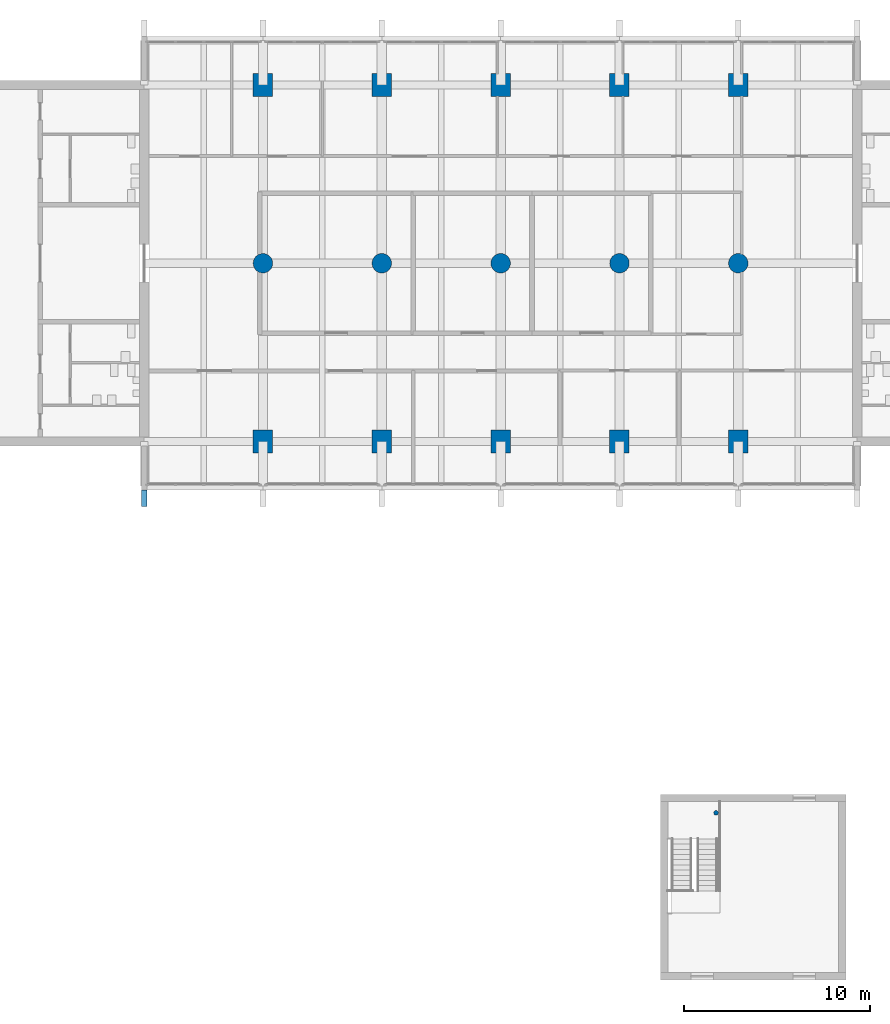
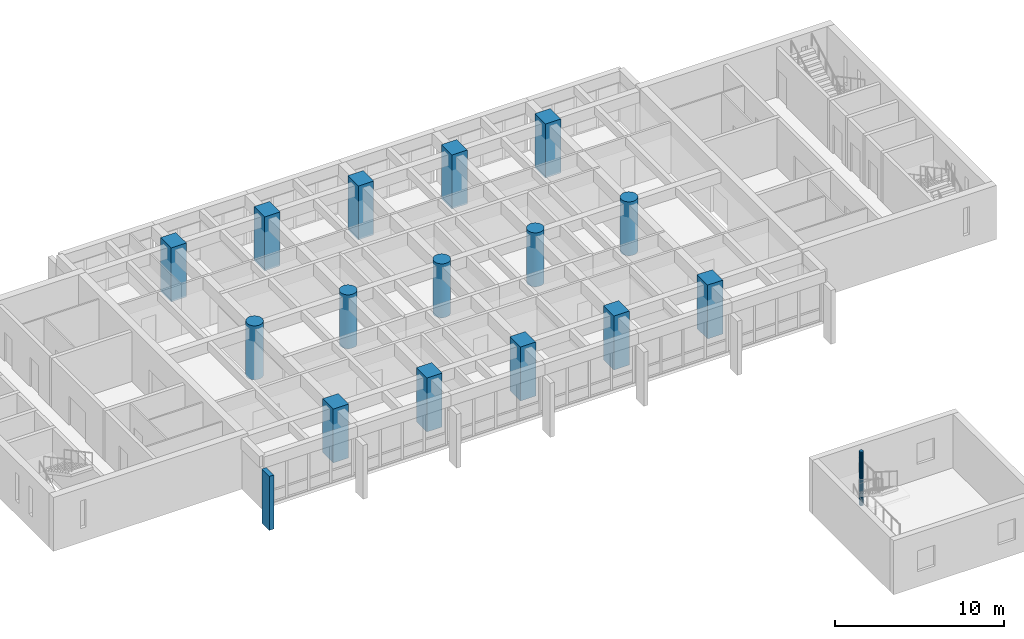
# One storey, part 1 of 19: 16 columns, 1 member.
"""IFC4 building model written with IfcOpenShell, lengths in metres."""

from ifc_helpers import new_model, si_unit, direction, frame, origin, origin_2d, place, context, subcontext, project, spatial, rectangle, circle, extrude, material, material_profile, profile_set, type_object, element, save


model = new_model("IFC4")

# Units and contexts
model_context = context("Model", 3, precision=1e-05, world=origin(), true_north=direction((0.0, 1.0)))
body_context = subcontext(model_context, "Body", "Model", "MODEL_VIEW")
ifc_project = project(units=[si_unit("LENGTHUNIT", "METRE"), si_unit("AREAUNIT", "SQUARE_METRE"), si_unit("VOLUMEUNIT", "CUBIC_METRE"), si_unit("PLANEANGLEUNIT", "RADIAN"), si_unit("MASSUNIT", "GRAM", prefix="KILO")], contexts=[model_context])

# Site, building, storey
site_placement = place(None, origin())
site = spatial("IfcSite", under=ifc_project, at=site_placement, CompositionType="ELEMENT")
building_placement = place(site_placement, origin())
building = spatial("IfcBuilding", under=site, at=building_placement, Name="Fogon Plaza Fire Station and Headquarters Tower", CompositionType="ELEMENT")
storey_placement = place(building_placement, frame((0.0, 0.0, 21.0)))
storey = spatial("IfcBuildingStorey", under=building, at=storey_placement, Name="L05", CompositionType="ELEMENT", Elevation=21.0)

# Columns
ifc_material_1 = material(Name="Concrete C40", Category="concrete")
ifc_material_profile_1 = material_profile(ifc_material_1, rectangle(XDim=1.050048828125, YDim=1.25, at=origin_2d()), Name="RC 1050x1250")
ifc_profile_set_1 = profile_set([ifc_material_profile_1], Name="Concrete C40")
column_type_1 = type_object("IfcColumnType", Name="COLUMN RC 1050x1250", PredefinedType="COLUMN", material=ifc_profile_set_1)
for number, where, z_axis, x_axis, name in (
    (1, (32.0, 33.60009765625, 0.0), (0.0, 0.0, 1.0), (1.0, 0.0, 0.0), "col-L05-4E"),
    (2, (32.0, 52.800048828125, 0.0), (0.0, 0.0, 1.0), (1.0, 0.0, 0.0), "col-L05-4G"),
    (3, (38.39990234375, 33.60009765625, 0.0), (0.0, 0.0, 1.0), (1.0, 0.0, 0.0), "col-L05-5E"),
    (4, (38.39990234375, 52.800048828125, 0.0), (0.0, 0.0, 1.0), (1.0, 0.0, 0.0), "col-L05-5G"),
    (5, (44.800048828125, 33.60009765625, 0.0), (0.0, 0.0, 1.0), (1.0, 0.0, 0.0), "col-L05-6E"),
    (6, (44.800048828125, 52.800048828125, 0.0), (0.0, 0.0, 1.0), (1.0, 0.0, 0.0), "col-L05-6G"),
    (7, (51.199951171875, 33.60009765625, 0.0), (0.0, 0.0, 1.0), (1.0, 0.0, 0.0), "col-L05-7E"),
    (8, (51.199951171875, 52.800048828125, 0.0), (0.0, 0.0, 1.0), (1.0, 0.0, 0.0), "col-L05-7G"),
    (9, (57.60009765625, 33.60009765625, 0.0), (0.0, 0.0, 1.0), (1.0, 0.0, 0.0), "col-L05-8E"),
    (10, (57.60009765625, 52.800048828125, 0.0), (0.0, 0.0, 1.0), (1.0, 0.0, 0.0), "col-L05-8G"),
):
    element("IfcColumn", number, at=place(storey_placement, frame(where, z_axis=z_axis, x_axis=x_axis)), inside=storey, type_object=column_type_1, Name=name, PredefinedType="COLUMN", context=body_context, shape_type="SweptSolid", body=[
        extrude(rectangle(XDim=1.050048828125, YDim=1.25, at=origin_2d()), origin(), (0.0, 0.0, 1.0), 3.89990234375),
    ])
ifc_material_2 = material(Name="Concrete C40", Category="concrete")
ifc_material_profile_2 = material_profile(ifc_material_2, circle(Radius=0.52490234375, at=origin_2d()), Name="RC D1050")
ifc_profile_set_2 = profile_set([ifc_material_profile_2], Name="Concrete C40")
column_type_2 = type_object("IfcColumnType", Name="COLUMN RC D1050", PredefinedType="COLUMN", material=ifc_profile_set_2)
for number, where, z_axis, x_axis, name in (
    (11, (32.0, 43.199951171875, 0.0), (0.0, 0.0, 1.0), (1.0, 0.0, 0.0), "col-L05-4F"),
    (12, (38.39990234375, 43.199951171875, 0.0), (0.0, 0.0, 1.0), (1.0, 0.0, 0.0), "col-L05-5F"),
    (13, (44.800048828125, 43.199951171875, 0.0), (0.0, 0.0, 1.0), (1.0, 0.0, 0.0), "col-L05-6F"),
    (14, (51.199951171875, 43.199951171875, 0.0), (0.0, 0.0, 1.0), (1.0, 0.0, 0.0), "col-L05-7F"),
    (15, (57.60009765625, 43.199951171875, 0.0), (0.0, 0.0, 1.0), (1.0, 0.0, 0.0), "col-L05-8F"),
):
    element("IfcColumn", number, at=place(storey_placement, frame(where, z_axis=z_axis, x_axis=x_axis)), inside=storey, type_object=column_type_2, Name=name, PredefinedType="COLUMN", context=body_context, shape_type="SweptSolid", body=[
        extrude(circle(Radius=0.52490234375, at=origin_2d()), origin(), (0.0, 0.0, 1.0), 3.89990234375),
    ])
ifc_material_3 = material(Name="Concrete C40", Category="concrete")
ifc_material_profile_3 = material_profile(ifc_material_3, circle(Radius=0.125, at=origin_2d()), Name="RC D250")
ifc_profile_set_3 = profile_set([ifc_material_profile_3], Name="Concrete C40")
column_type_3 = type_object("IfcColumnType", Name="COLUMN RC D250", PredefinedType="COLUMN", material=ifc_profile_set_3)
column_placement = place(storey_placement, frame((56.39990234375, 13.60009765625, 0.0), z_axis=(0.0, 0.0, 1.0), x_axis=(1.0, 0.0, 0.0)))
element("IfcColumn", 16, at=column_placement, inside=storey, type_object=column_type_3, Name="Drill stair post L05", PredefinedType="COLUMN", context=body_context, shape_type="SweptSolid", body=[
    extrude(circle(Radius=0.125, at=origin_2d()), origin(), (0.0, 0.0, 1.0), 3.89990234375),
])

# Member
ifc_material_4 = material(Name="Concrete C40 precast", Category="concrete")
ifc_material_profile_4 = material_profile(ifc_material_4, rectangle(XDim=0.300048828125, YDim=0.89990234375, at=origin_2d()), Name="Precast Concrete Post 300x900")
ifc_profile_set_4 = profile_set([ifc_material_profile_4], Name="Concrete C40 precast")
member_type = type_object("IfcMemberType", Name="Precast Concrete Post 300x900", PredefinedType="POST", material=ifc_profile_set_4)
member_placement = place(storey_placement, frame((25.60009765625, 30.550048828125, -1.02001953125), z_axis=(0.0, 0.0, 1.0), x_axis=(1.0, 0.0, 0.0)))
element("IfcMember", 17, at=member_placement, inside=storey, type_object=member_type, Name="Precast Post S L05", PredefinedType="POST", context=body_context, shape_type="SweptSolid", body=[
    extrude(rectangle(XDim=0.300048828125, YDim=0.89990234375, at=origin_2d()), origin(), (0.0, 0.0, 1.0), 3.89990234375),
])

save(model, "model.ifc")
